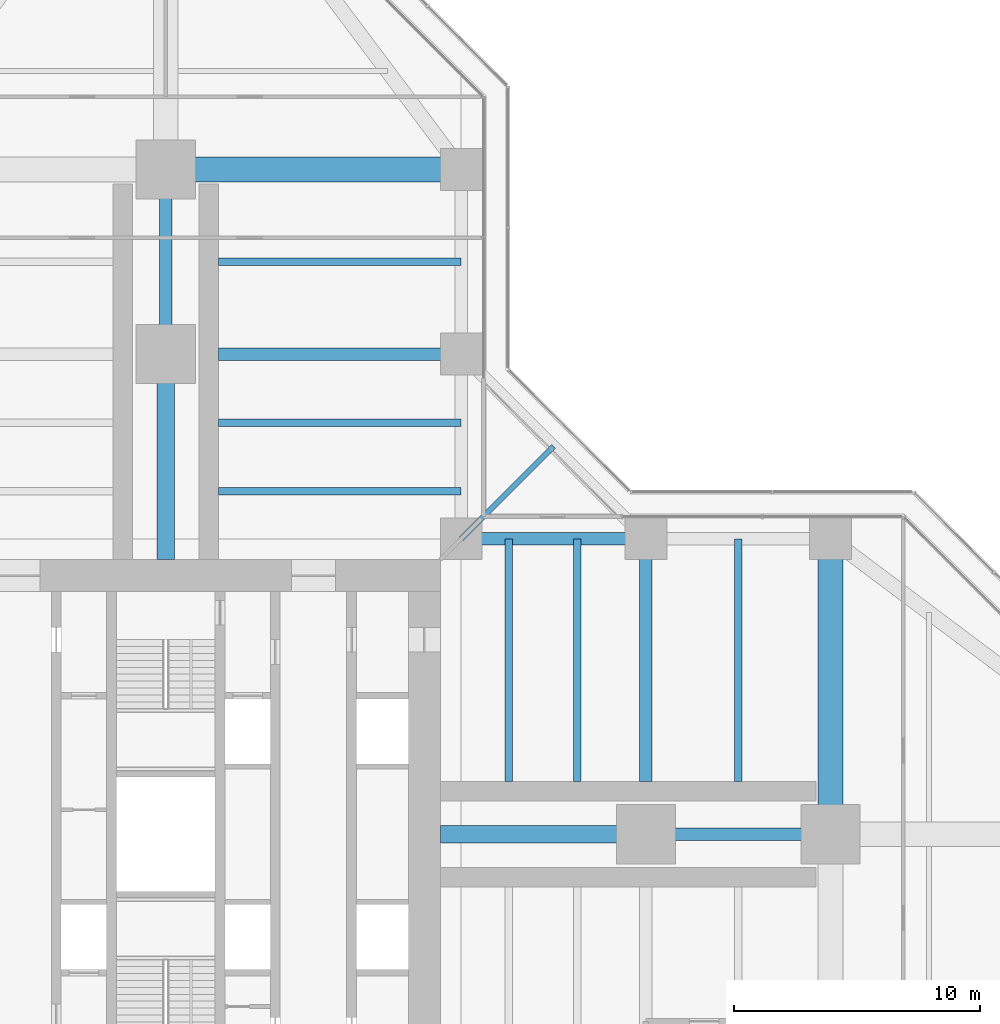
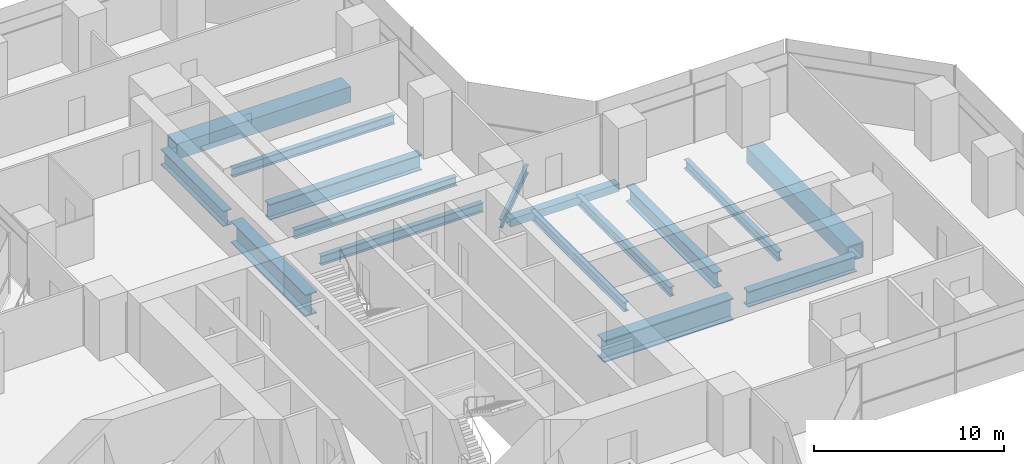
# One storey, part 10 of 22: 16 beams.
"""IFC4 building model written with IfcOpenShell, lengths in metres."""

from ifc_helpers import new_model, si_unit, direction, frame, origin, origin_2d, place, context, subcontext, project, spatial, hollow_rectangle, i_section, extrude, material, material_profile, profile_set, type_object, element, save


model = new_model("IFC4")

# Units and contexts
model_context = context("Model", 3, precision=1e-05, world=origin(), true_north=direction((0.0, 1.0)))
body_context = subcontext(model_context, "Body", "Model", "MODEL_VIEW")
ifc_project = project(units=[si_unit("LENGTHUNIT", "METRE"), si_unit("AREAUNIT", "SQUARE_METRE"), si_unit("VOLUMEUNIT", "CUBIC_METRE"), si_unit("PLANEANGLEUNIT", "RADIAN"), si_unit("MASSUNIT", "GRAM", prefix="KILO")], contexts=[model_context])

# Site, building, storey
site_placement = place(None, origin())
site = spatial("IfcSite", under=ifc_project, at=site_placement, CompositionType="ELEMENT")
building_placement = place(site_placement, origin())
building = spatial("IfcBuilding", under=site, at=building_placement, Name="Mizan Broadcast Tower", CompositionType="ELEMENT")
storey_placement = place(building_placement, frame((0.0, 0.0, 47.39990234375)))
storey = spatial("IfcBuildingStorey", under=building, at=storey_placement, Name="L08", CompositionType="ELEMENT", Elevation=47.39990234375)

# Beams
ifc_material_1 = material(Name="Steel S355", Category="steel")
ifc_material_profile_1 = material_profile(ifc_material_1, hollow_rectangle(XDim=0.5, YDim=0.5, WallThickness=0.030029296875, at=origin_2d()), Name="BOX 500x500x30")
ifc_profile_set_1 = profile_set([ifc_material_profile_1], Name="Steel S355")
beam_type_1 = type_object("IfcBeamType", Name="EDGE BEAM BOX 500x500x30", PredefinedType="SPANDREL", material=ifc_profile_set_1)
beam_1_placement = place(storey_placement, frame((12.449951171875, 12.0, -0.3798828125), z_axis=(1.0, 0.0, 0.0), x_axis=(0.0, 1.0, 0.0)))
element("IfcBeam", 1, at=beam_1_placement, inside=storey, type_object=beam_type_1, Name="Edge beam BOX 500x500x30 L08 east arm", PredefinedType="SPANDREL", context=body_context, shape_type="SweptSolid", body=[
    extrude(hollow_rectangle(XDim=0.5, YDim=0.5, WallThickness=0.030029296875, at=origin_2d()), origin(), (0.0, 0.0, 1.0), 6.60009765625),
])
ifc_material_2 = material(Name="Steel S460", Category="steel")
ifc_material_profile_2 = material_profile(ifc_material_2, hollow_rectangle(XDim=1.0, YDim=1.0, WallThickness=0.080078125, at=origin_2d()), Name="BOX 1000x1000x80")
ifc_profile_set_2 = profile_set([ifc_material_profile_2], Name="Steel S460")
beam_type_2 = type_object("IfcBeamType", Name="GIRDER BOX 1000x1000x80", PredefinedType="BEAM", material=ifc_profile_set_2)
for number, where, z_axis, x_axis, name in (
    (2, (27.0, 11.280029296875, -0.6298828125), (0.0, -1.0, 0.0), (1.0, 0.0, 0.0), "Girder BOX 1000x1000x80 L08 east arm"),
    (3, (11.280029296875, 27.0, -0.6298828125), (-1.0, 0.0, 0.0), (0.0, -1.0, 0.0), "Girder BOX 1000x1000x80 L08 north arm"),
):
    element("IfcBeam", number, at=place(storey_placement, frame(where, z_axis=z_axis, x_axis=x_axis)), inside=storey, type_object=beam_type_2, Name=name, PredefinedType="BEAM", context=body_context, shape_type="SweptSolid", body=[
        extrude(hollow_rectangle(XDim=1.0, YDim=1.0, WallThickness=0.080078125, at=origin_2d()), origin(), (0.0, 0.0, 1.0), 10.56005859375),
    ])
ifc_material_3 = material(Name="Steel S460", Category="steel")
ifc_material_profile_3 = material_profile(ifc_material_3, i_section(OverallWidth=0.5, OverallDepth=1.0, WebThickness=0.02490234375, FlangeThickness=0.050048828125, at=origin_2d()), Name="WPG 1000x500")
ifc_profile_set_3 = profile_set([ifc_material_profile_3], Name="Steel S460")
beam_type_3 = type_object("IfcBeamType", Name="GIRDER WPG 1000x500", PredefinedType="BEAM", material=ifc_profile_set_3)
beam_2_placement = place(storey_placement, frame((19.949951171875, 0.0, -0.6298828125), z_axis=(1.0, 0.0, 0.0), x_axis=(0.0, 1.0, 0.0)))
element("IfcBeam", 4, at=beam_2_placement, inside=storey, type_object=beam_type_3, Name="Girder WPG 1000x500 L08 east arm", PredefinedType="BEAM", context=body_context, shape_type="SweptSolid", body=[
    extrude(i_section(OverallWidth=0.5, OverallDepth=1.0, WebThickness=0.02490234375, FlangeThickness=0.050048828125, at=origin_2d()), origin(), (0.0, 0.0, 1.0), 6.60009765625),
])
beam_3_placement = place(storey_placement, frame((19.5, 11.408935546875, -0.6298828125), z_axis=(0.0, -1.0, 0.0), x_axis=(1.0, 0.0, 0.0)))
element("IfcBeam", 5, at=beam_3_placement, inside=storey, type_object=beam_type_3, Name="Girder WPG 1000x500 L08 east arm", PredefinedType="BEAM", context=body_context, shape_type="SweptSolid", body=[
    extrude(i_section(OverallWidth=0.5, OverallDepth=1.0, WebThickness=0.02490234375, FlangeThickness=0.050048828125, at=origin_2d()), origin(), (0.0, 0.0, 1.0), 9.259033203125),
])
beam_4_placement = place(storey_placement, frame((0.0, 19.949951171875, -0.6298828125), z_axis=(0.0, 1.0, 0.0), x_axis=(-1.0, 0.0, 0.0)))
element("IfcBeam", 6, at=beam_4_placement, inside=storey, type_object=beam_type_3, Name="Girder WPG 1000x500 L08 north arm", PredefinedType="BEAM", context=body_context, shape_type="SweptSolid", body=[
    extrude(i_section(OverallWidth=0.5, OverallDepth=1.0, WebThickness=0.02490234375, FlangeThickness=0.050048828125, at=origin_2d()), origin(), (0.0, 0.0, 1.0), 6.60009765625),
])
beam_5_placement = place(storey_placement, frame((11.408935546875, 19.5, -0.6298828125), z_axis=(-1.0, 0.0, 0.0), x_axis=(0.0, -1.0, 0.0)))
element("IfcBeam", 7, at=beam_5_placement, inside=storey, type_object=beam_type_3, Name="Girder WPG 1000x500 L08 north arm", PredefinedType="BEAM", context=body_context, shape_type="SweptSolid", body=[
    extrude(i_section(OverallWidth=0.5, OverallDepth=1.0, WebThickness=0.02490234375, FlangeThickness=0.050048828125, at=origin_2d()), origin(), (0.0, 0.0, 1.0), 9.259033203125),
])
ifc_material_4 = material(Name="Steel S460", Category="steel")
ifc_material_profile_4 = material_profile(ifc_material_4, i_section(OverallWidth=0.699951171875, OverallDepth=1.39990234375, WebThickness=0.030029296875, FlangeThickness=0.070068359375, at=origin_2d()), Name="WPG 1400x700")
ifc_profile_set_4 = profile_set([ifc_material_profile_4], Name="Steel S460")
beam_type_4 = type_object("IfcBeamType", Name="GIRDER WPG 1400x700", PredefinedType="BEAM", material=ifc_profile_set_4)
for number, where, z_axis, x_axis, name in (
    (8, (11.14990234375, 0.0, -0.829833984375), (1.0, 0.0, 0.0), (0.0, 1.0, 0.0), "Girder WPG 1400x700 L08 east arm"),
    (9, (0.0, 11.14990234375, -0.829833984375), (0.0, 1.0, 0.0), (-1.0, 0.0, 0.0), "Girder WPG 1400x700 L08 north arm"),
):
    element("IfcBeam", number, at=place(storey_placement, frame(where, z_axis=z_axis, x_axis=x_axis)), inside=storey, type_object=beam_type_4, Name=name, PredefinedType="BEAM", context=body_context, shape_type="SweptSolid", body=[
        extrude(i_section(OverallWidth=0.699951171875, OverallDepth=1.39990234375, WebThickness=0.030029296875, FlangeThickness=0.070068359375, at=origin_2d()), origin(), (0.0, 0.0, 1.0), 7.84912109375),
    ])
ifc_material_5 = material(Name="Steel S355", Category="steel")
ifc_material_profile_5 = material_profile(ifc_material_5, i_section(OverallWidth=0.300048828125, OverallDepth=0.590087890625, WebThickness=0.012939453125, FlangeThickness=0.02490234375, FilletRadius=0.027099609375, at=origin_2d()), Name="HEA 600")
ifc_profile_set_5 = profile_set([ifc_material_profile_5], Name="Steel S355")
beam_type_5 = type_object("IfcBeamType", Name="SECONDARY BEAM HEA 600", PredefinedType="JOIST", material=ifc_profile_set_5)
for number, where, z_axis, x_axis, name in (
    (10, (13.933349609375, 12.0, -0.4248046875), (0.0, -1.0, 0.0), (1.0, 0.0, 0.0), "Secondary beam HEA 600 L08 east arm"),
    (11, (16.716552734375, 12.0, -0.4248046875), (0.0, -1.0, 0.0), (1.0, 0.0, 0.0), "Secondary beam HEA 600 L08 east arm"),
    (12, (23.25, 12.0, -0.4248046875), (0.0, -1.0, 0.0), (1.0, 0.0, 0.0), "Secondary beam HEA 600 L08 east arm"),
    (13, (12.0, 13.933349609375, -0.4248046875), (-1.0, 0.0, 0.0), (0.0, -1.0, 0.0), "Secondary beam HEA 600 L08 north arm"),
    (14, (12.0, 16.716552734375, -0.4248046875), (-1.0, 0.0, 0.0), (0.0, -1.0, 0.0), "Secondary beam HEA 600 L08 north arm"),
    (15, (12.0, 23.25, -0.4248046875), (-1.0, 0.0, 0.0), (0.0, -1.0, 0.0), "Secondary beam HEA 600 L08 north arm"),
):
    element("IfcBeam", number, at=place(storey_placement, frame(where, z_axis=z_axis, x_axis=x_axis)), inside=storey, type_object=beam_type_5, Name=name, PredefinedType="JOIST", context=body_context, shape_type="SweptSolid", body=[
        extrude(i_section(OverallWidth=0.300048828125, OverallDepth=0.590087890625, WebThickness=0.012939453125, FlangeThickness=0.02490234375, FilletRadius=0.027099609375, at=origin_2d()), origin(), (0.0, 0.0, 1.0), 9.85009765625),
    ])
ifc_material_6 = material(Name="Steel S355", Category="steel")
ifc_material_profile_6 = material_profile(ifc_material_6, i_section(OverallWidth=0.2099609375, OverallDepth=0.550048828125, WebThickness=0.010986328125, FlangeThickness=0.01708984375, FilletRadius=0.02392578125, at=origin_2d()), Name="IPE 550")
ifc_profile_set_6 = profile_set([ifc_material_profile_6], Name="Steel S355")
beam_type_6 = type_object("IfcBeamType", Name="SECONDARY BEAM IPE 550", PredefinedType="JOIST", material=ifc_profile_set_6)
beam_6_placement = place(storey_placement, frame((12.0, 12.0, -0.40478515625), z_axis=(0.707106781187, 0.707106781187, 0.0), x_axis=(-0.707106781187, 0.707106781187, 0.0)))
element("IfcBeam", 16, at=beam_6_placement, inside=storey, type_object=beam_type_6, Name="Winter garden beam L08 E", PredefinedType="JOIST", context=body_context, shape_type="SweptSolid", body=[
    extrude(i_section(OverallWidth=0.2099609375, OverallDepth=0.550048828125, WebThickness=0.010986328125, FlangeThickness=0.01708984375, FilletRadius=0.02392578125, at=origin_2d()), origin(), (0.0, 0.0, 1.0), 5.30322265625),
])

save(model, "model.ifc")
